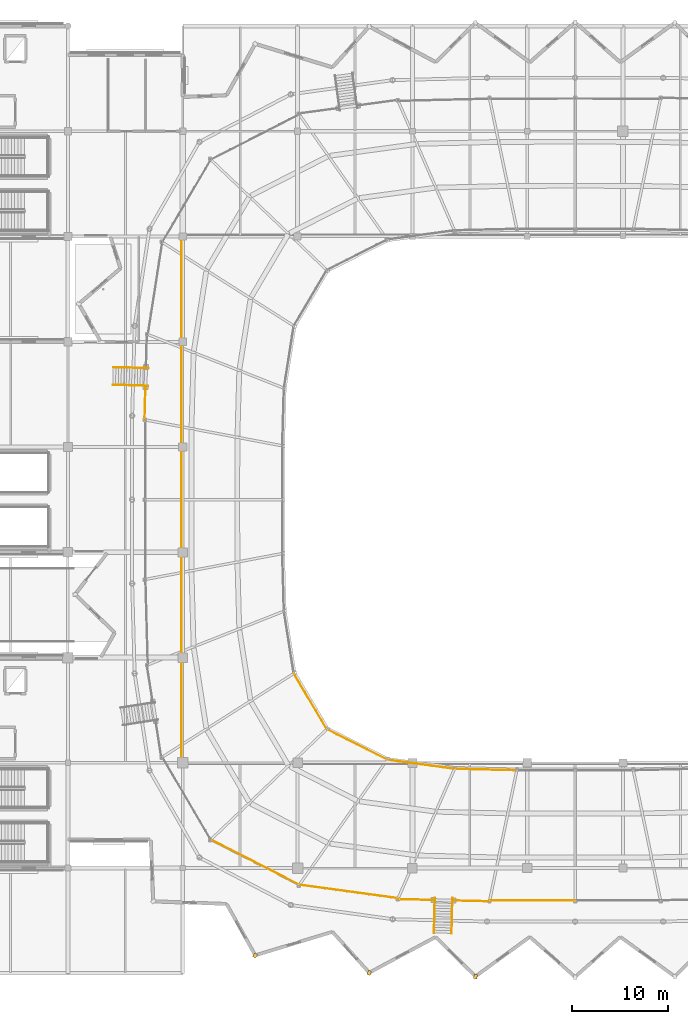
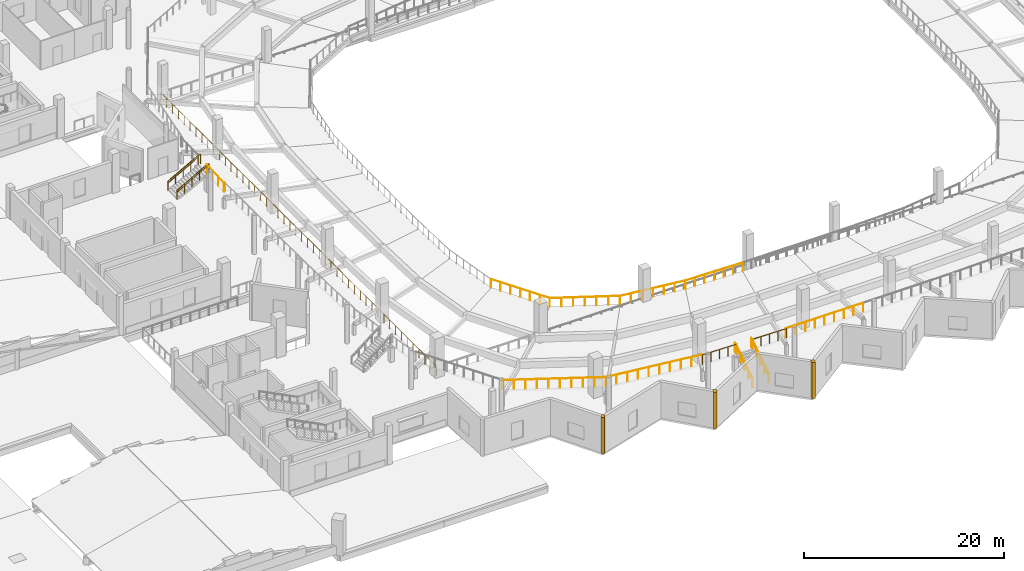
# One storey, part 67 of 77: 19 railings, 3 coverings.
"""IFC4 building model written with IfcOpenShell, lengths in metres."""

from ifc_helpers import new_model, si_unit, direction, frame, origin, origin_2d, place, context, subcontext, project, spatial, rectangle, circle, extrude, material, layer, layer_set, type_object, element, save


model = new_model("IFC4")

# Units and contexts
model_context = context("Model", 3, precision=1e-05, world=origin(), true_north=direction((0.0, 1.0)))
body_context = subcontext(model_context, "Body", "Model", "MODEL_VIEW")
ifc_project = project(units=[si_unit("LENGTHUNIT", "METRE"), si_unit("AREAUNIT", "SQUARE_METRE"), si_unit("VOLUMEUNIT", "CUBIC_METRE"), si_unit("PLANEANGLEUNIT", "RADIAN"), si_unit("MASSUNIT", "GRAM", prefix="KILO")], contexts=[model_context])

# Site, building, storey
site_placement = place(None, origin())
site = spatial("IfcSite", under=ifc_project, at=site_placement, CompositionType="ELEMENT")
building_placement = place(site_placement, origin())
building = spatial("IfcBuilding", under=site, at=building_placement, Name="Luwafu Chhajja Arena", CompositionType="ELEMENT")
storey_placement = place(building_placement, frame((0.0, 0.0, 14.699951171875)))
storey = spatial("IfcBuildingStorey", under=building, at=storey_placement, Name="L03", CompositionType="ELEMENT", Elevation=14.699951171875)

# Railings
ifc_material_1 = material(Name="Stainless steel balustrade", Category="steel")
railing_type_1 = type_object("IfcRailingType", Name="Atrium Void Glazed Balustrade 1150", PredefinedType="BALUSTRADE", material=ifc_material_1)
railing_1_placement = place(storey_placement, frame((50.68212890625, 61.499755859375, 0.0)))
element("IfcRailing", 1, at=railing_1_placement, inside=storey, type_object=railing_type_1, Name="L03 Vomitory VM-12 Guard L", PredefinedType="BALUSTRADE", context=body_context, shape_type="SweptSolid", body=[
    extrude(circle(Radius=0.02392578125, at=origin_2d()), frame((0.0, 0.0, 1.1259765625), z_axis=(0.860243960255, -0.02388885962, 0.50932273779), x_axis=(0.027759164743, 0.999614640135, 0.0)), (0.0, 0.0, 1.0), 3.98583984375),
    extrude(circle(Radius=0.02392578125, at=origin_2d()), frame((3.4287109375, -0.09521484375, 3.15576171875), z_axis=(0.999625638765, -0.027360232537, 0.0), x_axis=(0.027360232537, 0.999625638765, 0.0)), (0.0, 0.0, 1.0), 0.249755859375),
    extrude(circle(Radius=0.02099609375, at=origin_2d()), origin(), (0.0, 0.0, 1.0), 1.101806640625),
    extrude(circle(Radius=0.02099609375, at=origin_2d()), frame((0.857177734375, -0.02392578125, 0.507568359375)), (0.0, 0.0, 1.0), 1.101806640625),
    extrude(circle(Radius=0.02099609375, at=origin_2d()), frame((1.71435546875, -0.047607421875, 1.01513671875)), (0.0, 0.0, 1.0), 1.101806640625),
    extrude(circle(Radius=0.02099609375, at=origin_2d()), frame((2.571533203125, -0.0712890625, 1.5224609375)), (0.0, 0.0, 1.0), 1.101806640625),
    extrude(circle(Radius=0.02099609375, at=origin_2d()), frame((3.4287109375, -0.09521484375, 2.030029296875)), (0.0, 0.0, 1.0), 1.101806640625),
    extrude(circle(Radius=0.02099609375, at=origin_2d()), frame((3.678466796875, -0.10205078125, 2.030029296875)), (0.0, 0.0, 1.0), 1.101806640625),
])
railing_2_placement = place(storey_placement, frame((50.733154296875, 63.339111328125, 0.0)))
element("IfcRailing", 2, at=railing_2_placement, inside=storey, type_object=railing_type_1, Name="L03 Vomitory VM-12 Guard R", PredefinedType="BALUSTRADE", context=body_context, shape_type="SweptSolid", body=[
    extrude(circle(Radius=0.02392578125, at=origin_2d()), frame((0.0, 0.0, 1.1259765625), z_axis=(0.860243960255, -0.02388885962, 0.50932273779), x_axis=(0.027759164743, 0.999614640135, 0.0)), (0.0, 0.0, 1.0), 3.98583984375),
    extrude(circle(Radius=0.02392578125, at=origin_2d()), frame((3.4287109375, -0.09521484375, 3.15576171875), z_axis=(0.999598437567, -0.0283366126, 0.0), x_axis=(0.0283366126, 0.999598437567, 0.0)), (0.0, 0.0, 1.0), 0.249755859375),
    extrude(circle(Radius=0.02099609375, at=origin_2d()), origin(), (0.0, 0.0, 1.0), 1.101806640625),
    extrude(circle(Radius=0.02099609375, at=origin_2d()), frame((0.857177734375, -0.02392578125, 0.507568359375)), (0.0, 0.0, 1.0), 1.101806640625),
    extrude(circle(Radius=0.02099609375, at=origin_2d()), frame((1.71435546875, -0.047607421875, 1.01513671875)), (0.0, 0.0, 1.0), 1.101806640625),
    extrude(circle(Radius=0.02099609375, at=origin_2d()), frame((2.571533203125, -0.0712890625, 1.5224609375)), (0.0, 0.0, 1.0), 1.101806640625),
    extrude(circle(Radius=0.02099609375, at=origin_2d()), frame((3.4287109375, -0.09521484375, 2.030029296875)), (0.0, 0.0, 1.0), 1.101806640625),
    extrude(circle(Radius=0.02099609375, at=origin_2d()), frame((3.678466796875, -0.102294921875, 2.030029296875)), (0.0, 0.0, 1.0), 1.101806640625),
])
railing_3_placement = place(storey_placement, frame((54.01220703125, 57.85205078125, 2.030029296875)))
element("IfcRailing", 3, at=railing_3_placement, inside=storey, type_object=railing_type_1, Name="L03 Vomitory VM-12 Wing Guard L", PredefinedType="BALUSTRADE", context=body_context, shape_type="SweptSolid", body=[
    extrude(circle(Radius=0.02392578125, at=origin_2d()), frame((0.0, 0.0, 1.1259765625), z_axis=(0.027753719723, 0.999614791328, 0.0), x_axis=(-0.999614791328, 0.027753719723, 0.0)), (0.0, 0.0, 1.0), 3.553955078125),
    extrude(circle(Radius=0.02099609375, at=origin_2d()), origin(), (0.0, 0.0, 1.0), 1.101806640625),
    extrude(circle(Radius=0.02099609375, at=origin_2d()), frame((0.032958984375, 1.18408203125, 0.0)), (0.0, 0.0, 1.0), 1.101806640625),
    extrude(circle(Radius=0.02099609375, at=origin_2d()), frame((0.065673828125, 2.368408203125, 0.0)), (0.0, 0.0, 1.0), 1.101806640625),
    extrude(circle(Radius=0.02099609375, at=origin_2d()), frame((0.0986328125, 3.552490234375, 0.0)), (0.0, 0.0, 1.0), 1.101806640625),
])
railing_4_placement = place(storey_placement, frame((86.0966796875, 4.176025390625, 0.0)))
element("IfcRailing", 4, at=railing_4_placement, inside=storey, type_object=railing_type_1, Name="L03 Vomitory VM-14 Guard L", PredefinedType="BALUSTRADE", context=body_context, shape_type="SweptSolid", body=[
    extrude(circle(Radius=0.02392578125, at=origin_2d()), frame((0.0, 0.0, 1.1259765625), z_axis=(0.020826513934, 0.860318788812, 0.50933077458), x_axis=(-0.999707117433, 0.024200813096, 0.0)), (0.0, 0.0, 1.0), 3.985595703125),
    extrude(circle(Radius=0.02392578125, at=origin_2d()), frame((0.0830078125, 3.428955078125, 3.15576171875), z_axis=(0.024406789793, 0.999702109937, 0.0), x_axis=(-0.999702109937, 0.024406789793, 0.0)), (0.0, 0.0, 1.0), 0.25),
    extrude(circle(Radius=0.02099609375, at=origin_2d()), origin(), (0.0, 0.0, 1.0), 1.101806640625),
    extrude(circle(Radius=0.02099609375, at=origin_2d()), frame((0.020751953125, 0.857177734375, 0.507568359375)), (0.0, 0.0, 1.0), 1.101806640625),
    extrude(circle(Radius=0.02099609375, at=origin_2d()), frame((0.04150390625, 1.71435546875, 1.01513671875)), (0.0, 0.0, 1.0), 1.101806640625),
    extrude(circle(Radius=0.02099609375, at=origin_2d()), frame((0.062255859375, 2.57177734375, 1.5224609375)), (0.0, 0.0, 1.0), 1.101806640625),
    extrude(circle(Radius=0.02099609375, at=origin_2d()), frame((0.0830078125, 3.428955078125, 2.030029296875)), (0.0, 0.0, 1.0), 1.101806640625),
    extrude(circle(Radius=0.02099609375, at=origin_2d()), frame((0.089111328125, 3.678955078125, 2.030029296875)), (0.0, 0.0, 1.0), 1.101806640625),
])
railing_5_placement = place(storey_placement, frame((84.25732421875, 4.220458984375, 0.0)))
element("IfcRailing", 5, at=railing_5_placement, inside=storey, type_object=railing_type_1, Name="L03 Vomitory VM-14 Guard R", PredefinedType="BALUSTRADE", context=body_context, shape_type="SweptSolid", body=[
    extrude(circle(Radius=0.02392578125, at=origin_2d()), frame((0.0, 0.0, 1.1259765625), z_axis=(0.020765285932, 0.860319884723, 0.509331423387), x_axis=(-0.999708836986, 0.024129675738, 0.0)), (0.0, 0.0, 1.0), 3.985595703125),
    extrude(circle(Radius=0.02392578125, at=origin_2d()), frame((0.082763671875, 3.428955078125, 3.15576171875), z_axis=(0.024406789793, 0.999702109937, 0.0), x_axis=(-0.999702109937, 0.024406789793, 0.0)), (0.0, 0.0, 1.0), 0.25),
    extrude(circle(Radius=0.02099609375, at=origin_2d()), origin(), (0.0, 0.0, 1.0), 1.101806640625),
    extrude(circle(Radius=0.02099609375, at=origin_2d()), frame((0.020751953125, 0.857177734375, 0.507568359375)), (0.0, 0.0, 1.0), 1.101806640625),
    extrude(circle(Radius=0.02099609375, at=origin_2d()), frame((0.04150390625, 1.71435546875, 1.01513671875)), (0.0, 0.0, 1.0), 1.101806640625),
    extrude(circle(Radius=0.02099609375, at=origin_2d()), frame((0.06201171875, 2.57177734375, 1.5224609375)), (0.0, 0.0, 1.0), 1.101806640625),
    extrude(circle(Radius=0.02099609375, at=origin_2d()), frame((0.082763671875, 3.428955078125, 2.030029296875)), (0.0, 0.0, 1.0), 1.101806640625),
    extrude(circle(Radius=0.02099609375, at=origin_2d()), frame((0.0888671875, 3.678955078125, 2.030029296875)), (0.0, 0.0, 1.0), 1.101806640625),
])
for number, where, name in (
    (6, (90.051513671875, 7.51123046875, 2.030029296875), "L03 Vomitory VM-14 Wing Guard L"),
    (7, (84.340087890625, 7.6494140625, 2.030029296875), "L03 Vomitory VM-14 Wing Guard R"),
):
    element("IfcRailing", number, at=place(storey_placement, frame(where)), inside=storey, type_object=railing_type_1, Name=name, PredefinedType="BALUSTRADE", context=body_context, shape_type="SweptSolid", body=[
        extrude(circle(Radius=0.02392578125, at=origin_2d()), frame((0.0, 0.0, 1.1259765625), z_axis=(-0.999706984942, 0.02420628553, 0.0), x_axis=(-0.02420628553, -0.999706984942, 0.0)), (0.0, 0.0, 1.0), 3.873046875),
        extrude(circle(Radius=0.02099609375, at=origin_2d()), origin(), (0.0, 0.0, 1.0), 1.101806640625),
        extrude(circle(Radius=0.02099609375, at=origin_2d()), frame((-0.968017578125, 0.0234375, 0.0)), (0.0, 0.0, 1.0), 1.101806640625),
        extrude(circle(Radius=0.02099609375, at=origin_2d()), frame((-1.93603515625, 0.046875, 0.0)), (0.0, 0.0, 1.0), 1.101806640625),
        extrude(circle(Radius=0.02099609375, at=origin_2d()), frame((-2.90380859375, 0.0703125, 0.0)), (0.0, 0.0, 1.0), 1.101806640625),
        extrude(circle(Radius=0.02099609375, at=origin_2d()), frame((-3.871826171875, 0.09375, 0.0)), (0.0, 0.0, 1.0), 1.101806640625),
    ])

# Coverings
ifc_material_2 = material(Name="Red laterite sandstone cladding", Category="masonry")
ifc_layer = layer(ifc_material_2, 0.074951171875, Name="Red laterite sandstone cladding")
ifc_layer_set = layer_set([ifc_layer], Name="Red laterite sandstone cladding")
covering_type = type_object("IfcCoveringType", Name="Dressed Red-Laterite Sandstone Cladding", PredefinedType="CLADDING", material=ifc_layer_set)
for number, where, z_axis, x_axis, name in (
    (8, (65.572509765625, 1.864013671875, 0.0), (0.0, 0.0, 1.0), (-0.574411104334, -0.818566969293, 0.0), "L03 Pleated Bowl Sandstone Ridge Fin 22"),
    (9, (77.489013671875, 0.051025390625, 0.0), (0.0, 0.0, 1.0), (-0.398902881432, -0.916993179465, 0.0), "L03 Pleated Bowl Sandstone Ridge Fin 23"),
    (10, (88.587890625, -0.3427734375, 0.0), (0.0, 0.0, 1.0), (-0.20448508974, -0.9788696788, 0.0), "L03 Pleated Bowl Sandstone Ridge Fin 24"),
):
    element("IfcCovering", number, at=place(storey_placement, frame(where, z_axis=z_axis, x_axis=x_axis)), inside=storey, type_object=covering_type, Name=name, PredefinedType="CLADDING", context=body_context, shape_type="SweptSolid", body=[
        extrude(rectangle(XDim=0.4599609375, YDim=0.360107421875, at=origin_2d()), origin(), (0.0, 0.0, 1.0), 4.455078125),
    ])

# Railings
railing_type_2 = type_object("IfcRailingType", Name="Seating Bowl Sightline Barrier 1100", PredefinedType="BALUSTRADE", material=ifc_material_1)
railing_6_placement = place(storey_placement, frame((57.85009765625, 77.14990234375, 0.0)))
element("IfcRailing", 11, at=railing_6_placement, inside=storey, type_object=railing_type_2, Name="L03 Bowl Rim Guard 0039", PredefinedType="BALUSTRADE", context=body_context, shape_type="SweptSolid", body=[
    extrude(circle(Radius=0.02392578125, at=origin_2d()), frame((0.0, 0.0, 1.09619140625), z_axis=(0.0, -1.0, 0.0), x_axis=(1.0, 0.0, 0.0)), (0.0, 0.0, 1.0), 55.2998046875),
    extrude(circle(Radius=0.02099609375, at=origin_2d()), origin(), (0.0, 0.0, 1.0), 1.072021484375),
    extrude(circle(Radius=0.02099609375, at=origin_2d()), frame((0.0, -1.176513671875, 0.0)), (0.0, 0.0, 1.0), 1.072021484375),
    extrude(circle(Radius=0.02099609375, at=origin_2d()), frame((0.0, -2.353271484375, 0.0)), (0.0, 0.0, 1.0), 1.072021484375),
    extrude(circle(Radius=0.02099609375, at=origin_2d()), frame((0.0, -3.52978515625, 0.0)), (0.0, 0.0, 1.0), 1.072021484375),
    extrude(circle(Radius=0.02099609375, at=origin_2d()), frame((0.0, -4.706298828125, 0.0)), (0.0, 0.0, 1.0), 1.072021484375),
    extrude(circle(Radius=0.02099609375, at=origin_2d()), frame((0.0, -5.883056640625, 0.0)), (0.0, 0.0, 1.0), 1.072021484375),
    extrude(circle(Radius=0.02099609375, at=origin_2d()), frame((0.0, -7.0595703125, 0.0)), (0.0, 0.0, 1.0), 1.072021484375),
    extrude(circle(Radius=0.02099609375, at=origin_2d()), frame((0.0, -8.236083984375, 0.0)), (0.0, 0.0, 1.0), 1.072021484375),
    extrude(circle(Radius=0.02099609375, at=origin_2d()), frame((0.0, -9.412841796875, 0.0)), (0.0, 0.0, 1.0), 1.072021484375),
    extrude(circle(Radius=0.02099609375, at=origin_2d()), frame((0.0, -10.58935546875, 0.0)), (0.0, 0.0, 1.0), 1.072021484375),
    extrude(circle(Radius=0.02099609375, at=origin_2d()), frame((0.0, -11.765869140625, 0.0)), (0.0, 0.0, 1.0), 1.072021484375),
    extrude(circle(Radius=0.02099609375, at=origin_2d()), frame((0.0, -12.942626953125, 0.0)), (0.0, 0.0, 1.0), 1.072021484375),
    extrude(circle(Radius=0.02099609375, at=origin_2d()), frame((0.0, -14.119140625, 0.0)), (0.0, 0.0, 1.0), 1.072021484375),
    extrude(circle(Radius=0.02099609375, at=origin_2d()), frame((0.0, -15.295654296875, 0.0)), (0.0, 0.0, 1.0), 1.072021484375),
    extrude(circle(Radius=0.02099609375, at=origin_2d()), frame((0.0, -16.47216796875, 0.0)), (0.0, 0.0, 1.0), 1.072021484375),
    extrude(circle(Radius=0.02099609375, at=origin_2d()), frame((0.0, -17.64892578125, 0.0)), (0.0, 0.0, 1.0), 1.072021484375),
    extrude(circle(Radius=0.02099609375, at=origin_2d()), frame((0.0, -18.825439453125, 0.0)), (0.0, 0.0, 1.0), 1.072021484375),
    extrude(circle(Radius=0.02099609375, at=origin_2d()), frame((0.0, -20.001953125, 0.0)), (0.0, 0.0, 1.0), 1.072021484375),
    extrude(circle(Radius=0.02099609375, at=origin_2d()), frame((0.0, -21.1787109375, 0.0)), (0.0, 0.0, 1.0), 1.072021484375),
    extrude(circle(Radius=0.02099609375, at=origin_2d()), frame((0.0, -22.355224609375, 0.0)), (0.0, 0.0, 1.0), 1.072021484375),
    extrude(circle(Radius=0.02099609375, at=origin_2d()), frame((0.0, -23.53173828125, 0.0)), (0.0, 0.0, 1.0), 1.072021484375),
    extrude(circle(Radius=0.02099609375, at=origin_2d()), frame((0.0, -24.70849609375, 0.0)), (0.0, 0.0, 1.0), 1.072021484375),
    extrude(circle(Radius=0.02099609375, at=origin_2d()), frame((0.0, -25.885009765625, 0.0)), (0.0, 0.0, 1.0), 1.072021484375),
    extrude(circle(Radius=0.02099609375, at=origin_2d()), frame((0.0, -27.0615234375, 0.0)), (0.0, 0.0, 1.0), 1.072021484375),
    extrude(circle(Radius=0.02099609375, at=origin_2d()), frame((0.0, -28.23828125, 0.0)), (0.0, 0.0, 1.0), 1.072021484375),
    extrude(circle(Radius=0.02099609375, at=origin_2d()), frame((0.0, -29.414794921875, 0.0)), (0.0, 0.0, 1.0), 1.072021484375),
    extrude(circle(Radius=0.02099609375, at=origin_2d()), frame((0.0, -30.59130859375, 0.0)), (0.0, 0.0, 1.0), 1.072021484375),
    extrude(circle(Radius=0.02099609375, at=origin_2d()), frame((0.0, -31.76806640625, 0.0)), (0.0, 0.0, 1.0), 1.072021484375),
    extrude(circle(Radius=0.02099609375, at=origin_2d()), frame((0.0, -32.944580078125, 0.0)), (0.0, 0.0, 1.0), 1.072021484375),
    extrude(circle(Radius=0.02099609375, at=origin_2d()), frame((0.0, -34.12109375, 0.0)), (0.0, 0.0, 1.0), 1.072021484375),
    extrude(circle(Radius=0.02099609375, at=origin_2d()), frame((0.0, -35.2978515625, 0.0)), (0.0, 0.0, 1.0), 1.072021484375),
    extrude(circle(Radius=0.02099609375, at=origin_2d()), frame((0.0, -36.474365234375, 0.0)), (0.0, 0.0, 1.0), 1.072021484375),
    extrude(circle(Radius=0.02099609375, at=origin_2d()), frame((0.0, -37.65087890625, 0.0)), (0.0, 0.0, 1.0), 1.072021484375),
    extrude(circle(Radius=0.02099609375, at=origin_2d()), frame((0.0, -38.82763671875, 0.0)), (0.0, 0.0, 1.0), 1.072021484375),
    extrude(circle(Radius=0.02099609375, at=origin_2d()), frame((0.0, -40.004150390625, 0.0)), (0.0, 0.0, 1.0), 1.072021484375),
    extrude(circle(Radius=0.02099609375, at=origin_2d()), frame((0.0, -41.1806640625, 0.0)), (0.0, 0.0, 1.0), 1.072021484375),
    extrude(circle(Radius=0.02099609375, at=origin_2d()), frame((0.0, -42.357177734375, 0.0)), (0.0, 0.0, 1.0), 1.072021484375),
    extrude(circle(Radius=0.02099609375, at=origin_2d()), frame((0.0, -43.533935546875, 0.0)), (0.0, 0.0, 1.0), 1.072021484375),
    extrude(circle(Radius=0.02099609375, at=origin_2d()), frame((0.0, -44.71044921875, 0.0)), (0.0, 0.0, 1.0), 1.072021484375),
    extrude(circle(Radius=0.02099609375, at=origin_2d()), frame((0.0, -45.886962890625, 0.0)), (0.0, 0.0, 1.0), 1.072021484375),
    extrude(circle(Radius=0.02099609375, at=origin_2d()), frame((0.0, -47.063720703125, 0.0)), (0.0, 0.0, 1.0), 1.072021484375),
    extrude(circle(Radius=0.02099609375, at=origin_2d()), frame((0.0, -48.240234375, 0.0)), (0.0, 0.0, 1.0), 1.072021484375),
    extrude(circle(Radius=0.02099609375, at=origin_2d()), frame((0.0, -49.416748046875, 0.0)), (0.0, 0.0, 1.0), 1.072021484375),
    extrude(circle(Radius=0.02099609375, at=origin_2d()), frame((0.0, -50.593505859375, 0.0)), (0.0, 0.0, 1.0), 1.072021484375),
    extrude(circle(Radius=0.02099609375, at=origin_2d()), frame((0.0, -51.77001953125, 0.0)), (0.0, 0.0, 1.0), 1.072021484375),
    extrude(circle(Radius=0.02099609375, at=origin_2d()), frame((0.0, -52.946533203125, 0.0)), (0.0, 0.0, 1.0), 1.072021484375),
    extrude(circle(Radius=0.02099609375, at=origin_2d()), frame((0.0, -54.123291015625, 0.0)), (0.0, 0.0, 1.0), 1.072021484375),
    extrude(circle(Radius=0.02099609375, at=origin_2d()), frame((0.0, -55.2998046875, 0.0)), (0.0, 0.0, 1.0), 1.072021484375),
])
railing_7_placement = place(storey_placement, frame((69.60546875, 31.33544921875, 0.830078125)))
element("IfcRailing", 12, at=railing_7_placement, inside=storey, type_object=railing_type_2, Name="L03 Upper Tier Front Barrier 0115", PredefinedType="BALUSTRADE", context=body_context, shape_type="SweptSolid", body=[
    extrude(circle(Radius=0.02392578125, at=origin_2d()), frame((0.0, 0.0, 1.09619140625), z_axis=(0.509265878508, -0.860609240589, 0.0), x_axis=(0.860609240589, 0.509265878508, 0.0)), (0.0, 0.0, 1.0), 6.7744140625),
    extrude(circle(Radius=0.02099609375, at=origin_2d()), origin(), (0.0, 0.0, 1.0), 1.072021484375),
    extrude(circle(Radius=0.02099609375, at=origin_2d()), frame((0.574951171875, -0.9716796875, 0.0)), (0.0, 0.0, 1.0), 1.072021484375),
    extrude(circle(Radius=0.02099609375, at=origin_2d()), frame((1.14990234375, -1.943359375, 0.0)), (0.0, 0.0, 1.0), 1.072021484375),
    extrude(circle(Radius=0.02099609375, at=origin_2d()), frame((1.72509765625, -2.9150390625, 0.0)), (0.0, 0.0, 1.0), 1.072021484375),
    extrude(circle(Radius=0.02099609375, at=origin_2d()), frame((2.300048828125, -3.88671875, 0.0)), (0.0, 0.0, 1.0), 1.072021484375),
    extrude(circle(Radius=0.02099609375, at=origin_2d()), frame((2.875, -4.8583984375, 0.0)), (0.0, 0.0, 1.0), 1.072021484375),
    extrude(circle(Radius=0.02099609375, at=origin_2d()), frame((3.449951171875, -5.830078125, 0.0)), (0.0, 0.0, 1.0), 1.072021484375),
])
railing_8_placement = place(storey_placement, frame((73.055419921875, 25.50537109375, 0.830078125)))
element("IfcRailing", 13, at=railing_8_placement, inside=storey, type_object=railing_type_2, Name="L03 Upper Tier Front Barrier 0119", PredefinedType="BALUSTRADE", context=body_context, shape_type="SweptSolid", body=[
    extrude(circle(Radius=0.02392578125, at=origin_2d()), frame((0.0, 0.0, 1.09619140625), z_axis=(0.892232594826, -0.451576125066, 0.0), x_axis=(0.451576125066, 0.892232594826, 0.0)), (0.0, 0.0, 1.0), 7.065185546875),
    extrude(circle(Radius=0.02099609375, at=origin_2d()), origin(), (0.0, 0.0, 1.0), 1.072021484375),
    extrude(circle(Radius=0.02099609375, at=origin_2d()), frame((1.050537109375, -0.53173828125, 0.0)), (0.0, 0.0, 1.0), 1.072021484375),
    extrude(circle(Radius=0.02099609375, at=origin_2d()), frame((2.101318359375, -1.0634765625, 0.0)), (0.0, 0.0, 1.0), 1.072021484375),
    extrude(circle(Radius=0.02099609375, at=origin_2d()), frame((3.15185546875, -1.59521484375, 0.0)), (0.0, 0.0, 1.0), 1.072021484375),
    extrude(circle(Radius=0.02099609375, at=origin_2d()), frame((4.202392578125, -2.126953125, 0.0)), (0.0, 0.0, 1.0), 1.072021484375),
    extrude(circle(Radius=0.02099609375, at=origin_2d()), frame((5.253173828125, -2.65869140625, 0.0)), (0.0, 0.0, 1.0), 1.072021484375),
    extrude(circle(Radius=0.02099609375, at=origin_2d()), frame((6.3037109375, -3.1904296875, 0.0)), (0.0, 0.0, 1.0), 1.072021484375),
])
railing_9_placement = place(storey_placement, frame((60.930908203125, 13.974609375, 2.030029296875)))
element("IfcRailing", 14, at=railing_9_placement, inside=storey, type_object=railing_type_2, Name="L03 Upper Tier Rear Barrier 0121", PredefinedType="BALUSTRADE", context=body_context, shape_type="SweptSolid", body=[
    extrude(circle(Radius=0.02392578125, at=origin_2d()), frame((0.0, 0.0, 1.09619140625), z_axis=(0.890572447009, -0.45484141921, 0.0), x_axis=(0.45484141921, 0.890572447009, 0.0)), (0.0, 0.0, 1.0), 10.38623046875),
    extrude(circle(Radius=0.02099609375, at=origin_2d()), origin(), (0.0, 0.0, 1.0), 1.072021484375),
    extrude(circle(Radius=0.02099609375, at=origin_2d()), frame((1.02783203125, -0.52490234375, 0.0)), (0.0, 0.0, 1.0), 1.072021484375),
    extrude(circle(Radius=0.02099609375, at=origin_2d()), frame((2.055419921875, -1.0498046875, 0.0)), (0.0, 0.0, 1.0), 1.072021484375),
    extrude(circle(Radius=0.02099609375, at=origin_2d()), frame((3.083251953125, -1.57470703125, 0.0)), (0.0, 0.0, 1.0), 1.072021484375),
    extrude(circle(Radius=0.02099609375, at=origin_2d()), frame((4.111083984375, -2.099609375, 0.0)), (0.0, 0.0, 1.0), 1.072021484375),
    extrude(circle(Radius=0.02099609375, at=origin_2d()), frame((5.138671875, -2.62451171875, 0.0)), (0.0, 0.0, 1.0), 1.072021484375),
    extrude(circle(Radius=0.02099609375, at=origin_2d()), frame((6.16650390625, -3.1494140625, 0.0)), (0.0, 0.0, 1.0), 1.072021484375),
    extrude(circle(Radius=0.02099609375, at=origin_2d()), frame((7.1943359375, -3.67431640625, 0.0)), (0.0, 0.0, 1.0), 1.072021484375),
    extrude(circle(Radius=0.02099609375, at=origin_2d()), frame((8.221923828125, -4.19921875, 0.0)), (0.0, 0.0, 1.0), 1.072021484375),
    extrude(circle(Radius=0.02099609375, at=origin_2d()), frame((9.249755859375, -4.72412109375, 0.0)), (0.0, 0.0, 1.0), 1.072021484375),
])
railing_10_placement = place(storey_placement, frame((79.359130859375, 22.31494140625, 0.830078125)))
element("IfcRailing", 15, at=railing_10_placement, inside=storey, type_object=railing_type_2, Name="L03 Upper Tier Front Barrier 0123", PredefinedType="BALUSTRADE", context=body_context, shape_type="SweptSolid", body=[
    extrude(circle(Radius=0.02392578125, at=origin_2d()), frame((0.0, 0.0, 1.09619140625), z_axis=(0.990994032964, -0.13390603657, 0.0), x_axis=(0.13390603657, 0.990994032964, 0.0)), (0.0, 0.0, 1.0), 7.103271484375),
    extrude(circle(Radius=0.02099609375, at=origin_2d()), origin(), (0.0, 0.0, 1.0), 1.072021484375),
    extrude(circle(Radius=0.02099609375, at=origin_2d()), frame((1.17333984375, -0.158447265625, 0.0)), (0.0, 0.0, 1.0), 1.072021484375),
    extrude(circle(Radius=0.02099609375, at=origin_2d()), frame((2.346435546875, -0.317138671875, 0.0)), (0.0, 0.0, 1.0), 1.072021484375),
    extrude(circle(Radius=0.02099609375, at=origin_2d()), frame((3.51953125, -0.4755859375, 0.0)), (0.0, 0.0, 1.0), 1.072021484375),
    extrude(circle(Radius=0.02099609375, at=origin_2d()), frame((4.69287109375, -0.634033203125, 0.0)), (0.0, 0.0, 1.0), 1.072021484375),
    extrude(circle(Radius=0.02099609375, at=origin_2d()), frame((5.8662109375, -0.792724609375, 0.0)), (0.0, 0.0, 1.0), 1.072021484375),
    extrude(circle(Radius=0.02099609375, at=origin_2d()), frame((7.039306640625, -0.951171875, 0.0)), (0.0, 0.0, 1.0), 1.072021484375),
])
railing_11_placement = place(storey_placement, frame((70.1806640625, 9.25048828125, 2.030029296875)))
element("IfcRailing", 16, at=railing_11_placement, inside=storey, type_object=railing_type_2, Name="L03 Upper Tier Rear Barrier 0125", PredefinedType="BALUSTRADE", context=body_context, shape_type="SweptSolid", body=[
    extrude(circle(Radius=0.02392578125, at=origin_2d()), frame((0.0, 0.0, 1.09619140625), z_axis=(0.990836865089, -0.135064083981, 0.0), x_axis=(0.135064083981, 0.990836865089, 0.0)), (0.0, 0.0, 1.0), 10.42431640625),
    extrude(circle(Radius=0.02099609375, at=origin_2d()), origin(), (0.0, 0.0, 1.0), 1.072021484375),
    extrude(circle(Radius=0.02099609375, at=origin_2d()), frame((1.147705078125, -0.156494140625, 0.0)), (0.0, 0.0, 1.0), 1.072021484375),
    extrude(circle(Radius=0.02099609375, at=origin_2d()), frame((2.29541015625, -0.31298828125, 0.0)), (0.0, 0.0, 1.0), 1.072021484375),
    extrude(circle(Radius=0.02099609375, at=origin_2d()), frame((3.44287109375, -0.46923828125, 0.0)), (0.0, 0.0, 1.0), 1.072021484375),
    extrude(circle(Radius=0.02099609375, at=origin_2d()), frame((4.590576171875, -0.625732421875, 0.0)), (0.0, 0.0, 1.0), 1.072021484375),
    extrude(circle(Radius=0.02099609375, at=origin_2d()), frame((5.73828125, -0.7822265625, 0.0)), (0.0, 0.0, 1.0), 1.072021484375),
    extrude(circle(Radius=0.02099609375, at=origin_2d()), frame((6.885986328125, -0.938720703125, 0.0)), (0.0, 0.0, 1.0), 1.072021484375),
    extrude(circle(Radius=0.02099609375, at=origin_2d()), frame((8.033447265625, -1.094970703125, 0.0)), (0.0, 0.0, 1.0), 1.072021484375),
    extrude(circle(Radius=0.02099609375, at=origin_2d()), frame((9.18115234375, -1.25146484375, 0.0)), (0.0, 0.0, 1.0), 1.072021484375),
    extrude(circle(Radius=0.02099609375, at=origin_2d()), frame((10.328857421875, -1.407958984375, 0.0)), (0.0, 0.0, 1.0), 1.072021484375),
])
railing_12_placement = place(storey_placement, frame((86.3984375, 21.36376953125, 0.830078125)))
element("IfcRailing", 17, at=railing_12_placement, inside=storey, type_object=railing_type_2, Name="L03 Upper Tier Front Barrier 0127", PredefinedType="BALUSTRADE", context=body_context, shape_type="SweptSolid", body=[
    extrude(circle(Radius=0.02392578125, at=origin_2d()), frame((0.0, 0.0, 1.09619140625), z_axis=(0.999712648785, -0.023971229824, 0.0), x_axis=(0.023971229824, 0.999712648785, 0.0)), (0.0, 0.0, 1.0), 6.518310546875),
    extrude(circle(Radius=0.02099609375, at=origin_2d()), origin(), (0.0, 0.0, 1.0), 1.072021484375),
    extrude(circle(Radius=0.02099609375, at=origin_2d()), frame((1.0859375, -0.026123046875, 0.0)), (0.0, 0.0, 1.0), 1.072021484375),
    extrude(circle(Radius=0.02099609375, at=origin_2d()), frame((2.172119140625, -0.052001953125, 0.0)), (0.0, 0.0, 1.0), 1.072021484375),
    extrude(circle(Radius=0.02099609375, at=origin_2d()), frame((3.25830078125, -0.078125, 0.0)), (0.0, 0.0, 1.0), 1.072021484375),
    extrude(circle(Radius=0.02099609375, at=origin_2d()), frame((4.34423828125, -0.104248046875, 0.0)), (0.0, 0.0, 1.0), 1.072021484375),
    extrude(circle(Radius=0.02099609375, at=origin_2d()), frame((5.43017578125, -0.130126953125, 0.0)), (0.0, 0.0, 1.0), 1.072021484375),
    extrude(circle(Radius=0.02099609375, at=origin_2d()), frame((6.516357421875, -0.15625, 0.0)), (0.0, 0.0, 1.0), 1.072021484375),
])
railing_13_placement = place(storey_placement, frame((90.0712890625, 7.611328125, 2.030029296875)))
element("IfcRailing", 18, at=railing_13_placement, inside=storey, type_object=railing_type_2, Name="L03 Upper Tier Rear Barrier 0131", PredefinedType="BALUSTRADE", context=body_context, shape_type="SweptSolid", body=[
    extrude(circle(Radius=0.02392578125, at=origin_2d()), frame((0.0, 0.0, 1.09619140625), z_axis=(0.99999920898, -0.001257791852, 0.0), x_axis=(0.001257791852, 0.99999920898, 0.0)), (0.0, 0.0, 1.0), 8.9287109375),
    extrude(circle(Radius=0.02099609375, at=origin_2d()), origin(), (0.0, 0.0, 1.0), 1.072021484375),
    extrude(circle(Radius=0.02099609375, at=origin_2d()), frame((1.1162109375, -0.00146484375, 0.0)), (0.0, 0.0, 1.0), 1.072021484375),
    extrude(circle(Radius=0.02099609375, at=origin_2d()), frame((2.232177734375, -0.0029296875, 0.0)), (0.0, 0.0, 1.0), 1.072021484375),
    extrude(circle(Radius=0.02099609375, at=origin_2d()), frame((3.34814453125, -0.004150390625, 0.0)), (0.0, 0.0, 1.0), 1.072021484375),
    extrude(circle(Radius=0.02099609375, at=origin_2d()), frame((4.46435546875, -0.005615234375, 0.0)), (0.0, 0.0, 1.0), 1.072021484375),
    extrude(circle(Radius=0.02099609375, at=origin_2d()), frame((5.58056640625, -0.007080078125, 0.0)), (0.0, 0.0, 1.0), 1.072021484375),
    extrude(circle(Radius=0.02099609375, at=origin_2d()), frame((6.696533203125, -0.00830078125, 0.0)), (0.0, 0.0, 1.0), 1.072021484375),
    extrude(circle(Radius=0.02099609375, at=origin_2d()), frame((7.8125, -0.009765625, 0.0)), (0.0, 0.0, 1.0), 1.072021484375),
    extrude(circle(Radius=0.02099609375, at=origin_2d()), frame((8.9287109375, -0.01123046875, 0.0)), (0.0, 0.0, 1.0), 1.072021484375),
])
ifc_material_3 = material(Name="Stainless steel handrail", Category="steel")
railing_type_3 = type_object("IfcRailingType", Name="Stair Pitch Wall Handrail 920", PredefinedType="HANDRAIL", material=ifc_material_3)
for number, where, name in (
    (19, (50.68212890625, 61.499755859375, 0.0), "L03 Vomitory VM-12 Handrail L"),
    (20, (50.733154296875, 63.339111328125, 0.0), "L03 Vomitory VM-12 Handrail R"),
):
    element("IfcRailing", number, at=place(storey_placement, frame(where)), inside=storey, type_object=railing_type_3, Name=name, PredefinedType="HANDRAIL", context=body_context, shape_type="SweptSolid", body=[
        extrude(circle(Radius=0.02392578125, at=origin_2d()), frame((0.0, 0.0, 0.89599609375), z_axis=(0.860243960255, -0.02388885962, 0.50932273779), x_axis=(0.027759164743, 0.999614640135, 0.0)), (0.0, 0.0, 1.0), 3.98583984375),
        extrude(circle(Radius=0.02099609375, at=origin_2d()), origin(), (0.0, 0.0, 1.0), 0.871826171875),
        extrude(circle(Radius=0.02099609375, at=origin_2d()), frame((0.857177734375, -0.02392578125, 0.507568359375)), (0.0, 0.0, 1.0), 0.871826171875),
        extrude(circle(Radius=0.02099609375, at=origin_2d()), frame((1.71435546875, -0.047607421875, 1.01513671875)), (0.0, 0.0, 1.0), 0.871826171875),
        extrude(circle(Radius=0.02099609375, at=origin_2d()), frame((2.571533203125, -0.0712890625, 1.5224609375)), (0.0, 0.0, 1.0), 0.871826171875),
        extrude(circle(Radius=0.02099609375, at=origin_2d()), frame((3.4287109375, -0.09521484375, 2.030029296875)), (0.0, 0.0, 1.0), 0.871826171875),
    ])
railing_14_placement = place(storey_placement, frame((86.0966796875, 4.176025390625, 0.0)))
element("IfcRailing", 21, at=railing_14_placement, inside=storey, type_object=railing_type_3, Name="L03 Vomitory VM-14 Handrail L", PredefinedType="HANDRAIL", context=body_context, shape_type="SweptSolid", body=[
    extrude(circle(Radius=0.02392578125, at=origin_2d()), frame((0.0, 0.0, 0.89599609375), z_axis=(0.020826513934, 0.860318788812, 0.50933077458), x_axis=(-0.999707117433, 0.024200813096, 0.0)), (0.0, 0.0, 1.0), 3.985595703125),
    extrude(circle(Radius=0.02099609375, at=origin_2d()), origin(), (0.0, 0.0, 1.0), 0.871826171875),
    extrude(circle(Radius=0.02099609375, at=origin_2d()), frame((0.020751953125, 0.857177734375, 0.507568359375)), (0.0, 0.0, 1.0), 0.871826171875),
    extrude(circle(Radius=0.02099609375, at=origin_2d()), frame((0.04150390625, 1.71435546875, 1.01513671875)), (0.0, 0.0, 1.0), 0.871826171875),
    extrude(circle(Radius=0.02099609375, at=origin_2d()), frame((0.062255859375, 2.57177734375, 1.5224609375)), (0.0, 0.0, 1.0), 0.871826171875),
    extrude(circle(Radius=0.02099609375, at=origin_2d()), frame((0.0830078125, 3.428955078125, 2.030029296875)), (0.0, 0.0, 1.0), 0.871826171875),
])
railing_15_placement = place(storey_placement, frame((84.25732421875, 4.220458984375, 0.0)))
element("IfcRailing", 22, at=railing_15_placement, inside=storey, type_object=railing_type_3, Name="L03 Vomitory VM-14 Handrail R", PredefinedType="HANDRAIL", context=body_context, shape_type="SweptSolid", body=[
    extrude(circle(Radius=0.02392578125, at=origin_2d()), frame((0.0, 0.0, 0.89599609375), z_axis=(0.020765285932, 0.860319884723, 0.509331423387), x_axis=(-0.999708836986, 0.024129675738, 0.0)), (0.0, 0.0, 1.0), 3.985595703125),
    extrude(circle(Radius=0.02099609375, at=origin_2d()), origin(), (0.0, 0.0, 1.0), 0.871826171875),
    extrude(circle(Radius=0.02099609375, at=origin_2d()), frame((0.020751953125, 0.857177734375, 0.507568359375)), (0.0, 0.0, 1.0), 0.871826171875),
    extrude(circle(Radius=0.02099609375, at=origin_2d()), frame((0.04150390625, 1.71435546875, 1.01513671875)), (0.0, 0.0, 1.0), 0.871826171875),
    extrude(circle(Radius=0.02099609375, at=origin_2d()), frame((0.06201171875, 2.57177734375, 1.5224609375)), (0.0, 0.0, 1.0), 0.871826171875),
    extrude(circle(Radius=0.02099609375, at=origin_2d()), frame((0.082763671875, 3.428955078125, 2.030029296875)), (0.0, 0.0, 1.0), 0.871826171875),
])

save(model, "model.ifc")
